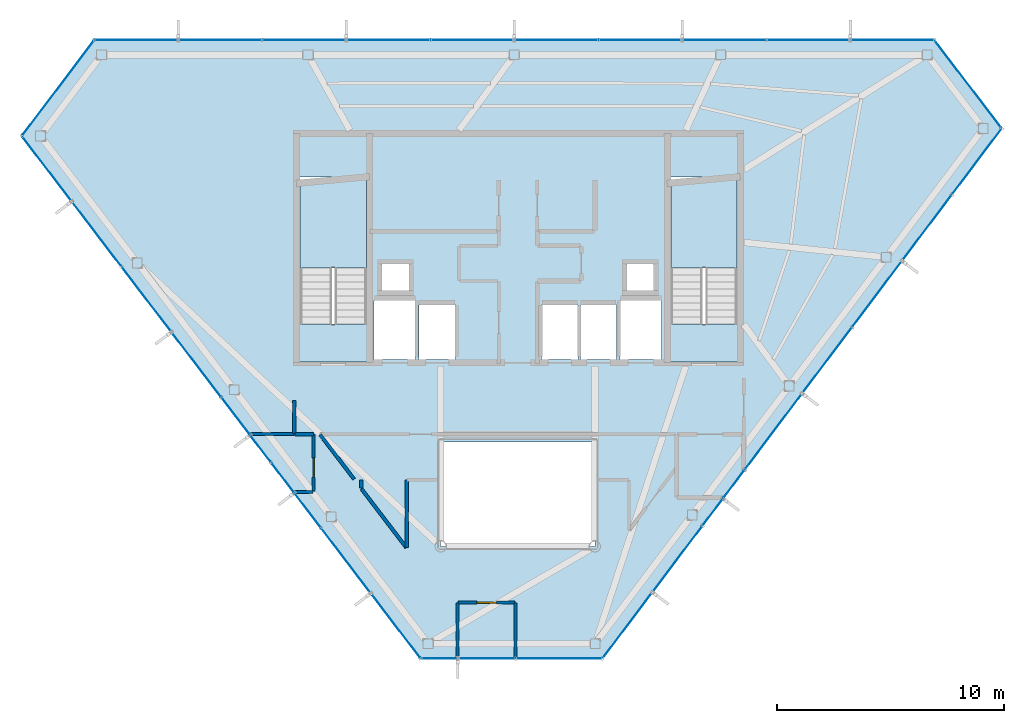
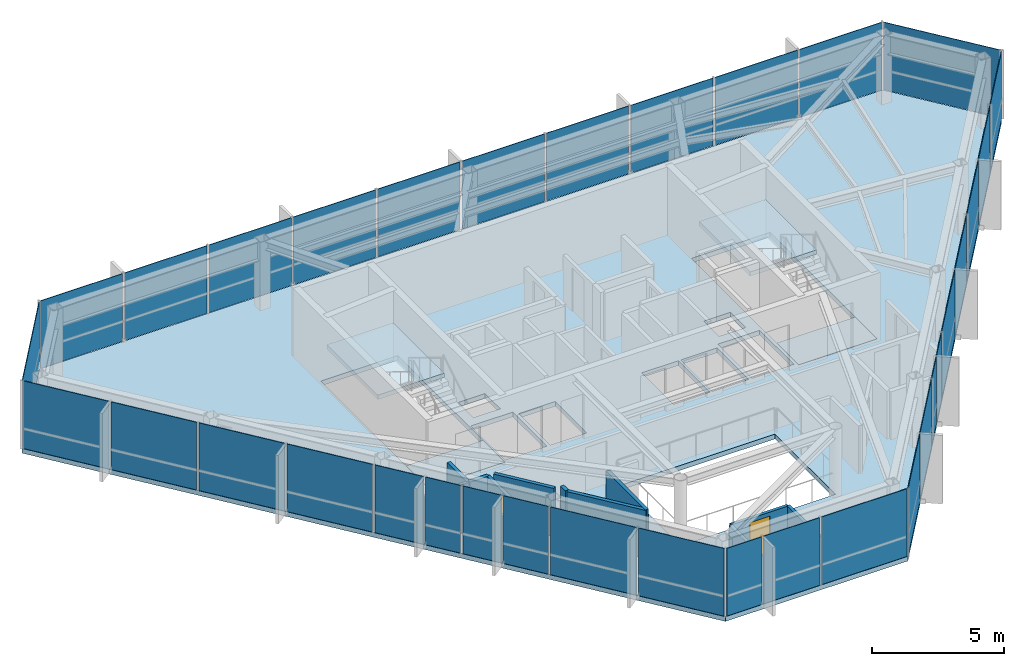
# One storey, part 19 of 22: 34 plates, 12 walls, 5 slabs, 2 doors, 2 openings, 8 elements without a shape of their own.
"""IFC4 building model written with IfcOpenShell, lengths in metres."""

from ifc_helpers import new_model, si_unit, direction, frame, frame_2d, origin, origin_2d, place, context, subcontext, project, spatial, polyline, rectangle, outline, extrude, material, layer, layer_set, type_object, element, fill, aggregate, save


model = new_model("IFC4")

# Units and contexts
model_context = context("Model", 3, precision=1e-05, world=origin(), true_north=direction((0.0, 1.0)))
body_context = subcontext(model_context, "Body", "Model", "MODEL_VIEW")
ifc_project = project(units=[si_unit("LENGTHUNIT", "METRE"), si_unit("AREAUNIT", "SQUARE_METRE"), si_unit("VOLUMEUNIT", "CUBIC_METRE"), si_unit("PLANEANGLEUNIT", "RADIAN"), si_unit("MASSUNIT", "GRAM", prefix="KILO")], contexts=[model_context])

# Site, building, storey
site_placement = place(None, origin())
site = spatial("IfcSite", under=ifc_project, at=site_placement, CompositionType="ELEMENT")
building_placement = place(site_placement, origin())
building = spatial("IfcBuilding", under=site, at=building_placement, Name="Zarrinselat Tower", CompositionType="ELEMENT")
storey_placement = place(building_placement, frame((0.0, 0.0, 289.0)))
storey = spatial("IfcBuildingStorey", under=building, at=storey_placement, Name="L74", CompositionType="ELEMENT", Elevation=289.0)

# Curtain wall, plates
ifc_material_1 = material(Name="Extruded Aluminium Alloy EN AW-6063 T6", Category="aluminium")
ifc_layer_1 = layer(ifc_material_1, 0.169921875)
ifc_layer_set_1 = layer_set([ifc_layer_1], Name="Extruded Aluminium Alloy EN AW-6063 T6")
curtain_wall_type_1 = type_object("IfcCurtainWallType", Name="CWS-RES", PredefinedType="NOTDEFINED", material=ifc_layer_set_1)
curtain_wall_1_placement = place(storey_placement, origin())
curtain_wall_1 = element("IfcCurtainWall", 1, at=curtain_wall_1_placement, inside=storey, type_object=curtain_wall_type_1, Name="L74 Unitised Curtain Wall CW-L74-E01", PredefinedType="NOTDEFINED")
ifc_material_2 = material(Name="Double Low-E Laminated Solar Glass", Category="glass")
ifc_layer_2 = layer(ifc_material_2, 0.028076171875)
ifc_layer_set_2 = layer_set([ifc_layer_2], Name="Double Low-E Laminated Solar Glass")
plate_type = type_object("IfcPlateType", Name="PLT-CW-GL28", PredefinedType="CURTAIN_PANEL", material=ifc_layer_set_2)
plate_1_placement = place(storey_placement, frame((54.90576171875, 47.5166015625, 0.02001953125), z_axis=(0.0, 0.0, 1.0), x_axis=(-1.0, 0.0, 0.0)))
plate_1 = element("IfcPlate", 2, at=plate_1_placement, type_object=plate_type, Name="CW-L74-E01 Vision Glass Panel 1", PredefinedType="CURTAIN_PANEL", context=body_context, shape_type="SweptSolid", body=[
    extrude(rectangle(XDim=3.6025390625, YDim=0.028076171875, at=origin_2d()), origin(), (0.0, 0.0, 1.0), 3.139892578125),
])
plate_2_placement = place(storey_placement, frame((51.203125, 47.5166015625, 0.02001953125), z_axis=(0.0, 0.0, 1.0), x_axis=(-1.0, 0.0, 0.0)))
plate_2 = element("IfcPlate", 3, at=plate_2_placement, type_object=plate_type, Name="CW-L74-E01 Vision Glass Panel 2", PredefinedType="CURTAIN_PANEL", context=body_context, shape_type="SweptSolid", body=[
    extrude(rectangle(XDim=3.6025390625, YDim=0.028076171875, at=origin_2d()), origin(), (0.0, 0.0, 1.0), 3.139892578125),
])
plate_3_placement = place(storey_placement, frame((47.50048828125, 47.5166015625, 0.02001953125), z_axis=(0.0, 0.0, 1.0), x_axis=(-1.0, 0.0, 0.0)))
plate_3 = element("IfcPlate", 4, at=plate_3_placement, type_object=plate_type, Name="CW-L74-E01 Vision Glass Panel 3", PredefinedType="CURTAIN_PANEL", context=body_context, shape_type="SweptSolid", body=[
    extrude(rectangle(XDim=3.6025390625, YDim=0.028076171875, at=origin_2d()), origin(), (0.0, 0.0, 1.0), 3.139892578125),
])
plate_4_placement = place(storey_placement, frame((43.798095703125, 47.5166015625, 0.02001953125), z_axis=(0.0, 0.0, 1.0), x_axis=(-1.0, 0.0, 0.0)))
plate_4 = element("IfcPlate", 5, at=plate_4_placement, type_object=plate_type, Name="CW-L74-E01 Vision Glass Panel 4", PredefinedType="CURTAIN_PANEL", context=body_context, shape_type="SweptSolid", body=[
    extrude(rectangle(XDim=3.6025390625, YDim=0.028076171875, at=origin_2d()), origin(), (0.0, 0.0, 1.0), 3.139892578125),
])
plate_5_placement = place(storey_placement, frame((40.095458984375, 47.5166015625, 0.02001953125), z_axis=(0.0, 0.0, 1.0), x_axis=(-1.0, 0.0, 0.0)))
plate_5 = element("IfcPlate", 6, at=plate_5_placement, type_object=plate_type, Name="CW-L74-E01 Vision Glass Panel 5", PredefinedType="CURTAIN_PANEL", context=body_context, shape_type="SweptSolid", body=[
    extrude(rectangle(XDim=3.6025390625, YDim=0.028076171875, at=origin_2d()), origin(), (0.0, 0.0, 1.0), 3.139892578125),
])
plate_6_placement = place(storey_placement, frame((36.392822265625, 47.5166015625, 0.02001953125), z_axis=(0.0, 0.0, 1.0), x_axis=(-1.0, 0.0, 0.0)))
plate_6 = element("IfcPlate", 7, at=plate_6_placement, type_object=plate_type, Name="CW-L74-E01 Vision Glass Panel 6", PredefinedType="CURTAIN_PANEL", context=body_context, shape_type="SweptSolid", body=[
    extrude(rectangle(XDim=3.6025390625, YDim=0.028076171875, at=origin_2d()), origin(), (0.0, 0.0, 1.0), 3.139892578125),
])
plate_7_placement = place(storey_placement, frame((32.690185546875, 47.5166015625, 0.02001953125), z_axis=(0.0, 0.0, 1.0), x_axis=(-1.0, 0.0, 0.0)))
plate_7 = element("IfcPlate", 8, at=plate_7_placement, type_object=plate_type, Name="CW-L74-E01 Vision Glass Panel 7", PredefinedType="CURTAIN_PANEL", context=body_context, shape_type="SweptSolid", body=[
    extrude(rectangle(XDim=3.6025390625, YDim=0.028076171875, at=origin_2d()), origin(), (0.0, 0.0, 1.0), 3.139892578125),
])
plate_8_placement = place(storey_placement, frame((28.987548828125, 47.5166015625, 0.02001953125), z_axis=(0.0, 0.0, 1.0), x_axis=(-1.0, 0.0, 0.0)))
plate_8 = element("IfcPlate", 9, at=plate_8_placement, type_object=plate_type, Name="CW-L74-E01 Vision Glass Panel 8", PredefinedType="CURTAIN_PANEL", context=body_context, shape_type="SweptSolid", body=[
    extrude(rectangle(XDim=3.6025390625, YDim=0.028076171875, at=origin_2d()), origin(), (0.0, 0.0, 1.0), 3.139892578125),
])
plate_9_placement = place(storey_placement, frame((25.284912109375, 47.5166015625, 0.02001953125), z_axis=(0.0, 0.0, 1.0), x_axis=(-1.0, 0.0, 0.0)))
plate_9 = element("IfcPlate", 10, at=plate_9_placement, type_object=plate_type, Name="CW-L74-E01 Vision Glass Panel 9", PredefinedType="CURTAIN_PANEL", context=body_context, shape_type="SweptSolid", body=[
    extrude(rectangle(XDim=3.6025390625, YDim=0.028076171875, at=origin_2d()), origin(), (0.0, 0.0, 1.0), 3.139892578125),
])
plate_10_placement = place(storey_placement, frame((21.58251953125, 47.5166015625, 0.02001953125), z_axis=(0.0, 0.0, 1.0), x_axis=(-1.0, 0.0, 0.0)))
plate_10 = element("IfcPlate", 11, at=plate_10_placement, type_object=plate_type, Name="CW-L74-E01 Vision Glass Panel 10", PredefinedType="CURTAIN_PANEL", context=body_context, shape_type="SweptSolid", body=[
    extrude(rectangle(XDim=3.6025390625, YDim=0.028076171875, at=origin_2d()), origin(), (0.0, 0.0, 1.0), 3.139892578125),
])
aggregate(curtain_wall_1, [plate_1, plate_2, plate_3, plate_4, plate_5, plate_6, plate_7, plate_8, plate_9, plate_10])

# Curtain wall, plate
curtain_wall_2_placement = place(storey_placement, origin())
curtain_wall_2 = element("IfcCurtainWall", 12, at=curtain_wall_2_placement, inside=storey, type_object=curtain_wall_type_1, Name="L74 Unitised Curtain Wall CW-L74-E02", PredefinedType="NOTDEFINED")
plate_11_placement = place(storey_placement, frame((18.13818359375, 45.402099609375, 0.02001953125), z_axis=(0.0, 0.0, 1.0), x_axis=(-0.601678799407, -0.798738143789, 0.0)))
plate_11 = element("IfcPlate", 13, at=plate_11_placement, type_object=plate_type, Name="CW-L74-E02 Vision Glass Panel 1", PredefinedType="CURTAIN_PANEL", context=body_context, shape_type="SweptSolid", body=[
    extrude(rectangle(XDim=5.19482421875, YDim=0.028076171875, at=origin_2d()), origin(), (0.0, 0.0, 1.0), 3.139892578125),
])
aggregate(curtain_wall_2, [plate_11])

# Curtain wall, plates
curtain_wall_3_placement = place(storey_placement, origin())
curtain_wall_3 = element("IfcCurtainWall", 14, at=curtain_wall_3_placement, inside=storey, type_object=curtain_wall_type_1, Name="L74 Unitised Curtain Wall CW-L74-E03", PredefinedType="NOTDEFINED")
plate_12_placement = place(storey_placement, frame((17.643798828125, 41.848388671875, 0.02001953125), z_axis=(0.0, 0.0, 1.0), x_axis=(0.606801746242, -0.794853219631, 0.0)))
plate_12 = element("IfcPlate", 15, at=plate_12_placement, type_object=plate_type, Name="CW-L74-E03 Vision Glass Panel 1", PredefinedType="CURTAIN_PANEL", context=body_context, shape_type="SweptSolid", body=[
    extrude(rectangle(XDim=3.520751953125, YDim=0.028076171875, at=origin_2d()), origin(), (0.0, 0.0, 1.0), 3.139892578125),
])
plate_13_placement = place(storey_placement, frame((19.8408203125, 38.970703125, 0.02001953125), z_axis=(0.0, 0.0, 1.0), x_axis=(0.606801746242, -0.794853219631, 0.0)))
plate_13 = element("IfcPlate", 16, at=plate_13_placement, type_object=plate_type, Name="CW-L74-E03 Vision Glass Panel 2", PredefinedType="CURTAIN_PANEL", context=body_context, shape_type="SweptSolid", body=[
    extrude(rectangle(XDim=3.520751953125, YDim=0.028076171875, at=origin_2d()), origin(), (0.0, 0.0, 1.0), 3.139892578125),
])
plate_14_placement = place(storey_placement, frame((22.037841796875, 36.0927734375, 0.02001953125), z_axis=(0.0, 0.0, 1.0), x_axis=(0.606801746242, -0.794853219631, 0.0)))
plate_14 = element("IfcPlate", 17, at=plate_14_placement, type_object=plate_type, Name="CW-L74-E03 Vision Glass Panel 3", PredefinedType="CURTAIN_PANEL", context=body_context, shape_type="SweptSolid", body=[
    extrude(rectangle(XDim=3.520751953125, YDim=0.028076171875, at=origin_2d()), origin(), (0.0, 0.0, 1.0), 3.139892578125),
])
plate_15_placement = place(storey_placement, frame((24.23486328125, 33.21484375, 0.02001953125), z_axis=(0.0, 0.0, 1.0), x_axis=(0.606801746242, -0.794853219631, 0.0)))
plate_15 = element("IfcPlate", 18, at=plate_15_placement, type_object=plate_type, Name="CW-L74-E03 Vision Glass Panel 4", PredefinedType="CURTAIN_PANEL", context=body_context, shape_type="SweptSolid", body=[
    extrude(rectangle(XDim=3.520751953125, YDim=0.028076171875, at=origin_2d()), origin(), (0.0, 0.0, 1.0), 3.139892578125),
])
plate_16_placement = place(storey_placement, frame((25.968017578125, 30.944580078125, 0.02001953125), z_axis=(0.0, 0.0, 1.0), x_axis=(0.606801746242, -0.794853219631, 0.0)))
plate_16 = element("IfcPlate", 19, at=plate_16_placement, type_object=plate_type, Name="CW-L74-E03 Vision Glass Panel 5", PredefinedType="CURTAIN_PANEL", context=body_context, shape_type="SweptSolid", body=[
    extrude(rectangle(XDim=1.9912109375, YDim=0.028076171875, at=origin_2d()), origin(), (0.0, 0.0, 1.0), 3.139892578125),
])
plate_17_placement = place(storey_placement, frame((27.06640625, 29.505859375, 0.02001953125), z_axis=(0.0, 0.0, 1.0), x_axis=(0.606801746242, -0.794853219631, 0.0)))
plate_17 = element("IfcPlate", 20, at=plate_17_placement, type_object=plate_type, Name="CW-L74-E03 Vision Glass Panel 6", PredefinedType="CURTAIN_PANEL", context=body_context, shape_type="SweptSolid", body=[
    extrude(rectangle(XDim=1.429443359375, YDim=0.028076171875, at=origin_2d()), origin(), (0.0, 0.0, 1.0), 3.139892578125),
])
plate_18_placement = place(storey_placement, frame((28.039794921875, 28.230712890625, 0.02001953125), z_axis=(0.0, 0.0, 1.0), x_axis=(0.606801746242, -0.794853219631, 0.0)))
plate_18 = element("IfcPlate", 21, at=plate_18_placement, type_object=plate_type, Name="CW-L74-E03 Vision Glass Panel 7", PredefinedType="CURTAIN_PANEL", context=body_context, shape_type="SweptSolid", body=[
    extrude(rectangle(XDim=1.57861328125, YDim=0.028076171875, at=origin_2d()), origin(), (0.0, 0.0, 1.0), 3.139892578125),
])
plate_19_placement = place(storey_placement, frame((29.13818359375, 26.791748046875, 0.02001953125), z_axis=(0.0, 0.0, 1.0), x_axis=(0.606801746242, -0.794853219631, 0.0)))
plate_19 = element("IfcPlate", 22, at=plate_19_placement, type_object=plate_type, Name="CW-L74-E03 Vision Glass Panel 8", PredefinedType="CURTAIN_PANEL", context=body_context, shape_type="SweptSolid", body=[
    extrude(rectangle(XDim=1.842041015625, YDim=0.028076171875, at=origin_2d()), origin(), (0.0, 0.0, 1.0), 3.139892578125),
])
plate_20_placement = place(storey_placement, frame((30.825927734375, 24.5810546875, 0.02001953125), z_axis=(0.0, 0.0, 1.0), x_axis=(0.606801746242, -0.794853219631, 0.0)))
plate_20 = element("IfcPlate", 23, at=plate_20_placement, type_object=plate_type, Name="CW-L74-E03 Vision Glass Panel 9", PredefinedType="CURTAIN_PANEL", context=body_context, shape_type="SweptSolid", body=[
    extrude(rectangle(XDim=3.520751953125, YDim=0.028076171875, at=origin_2d()), origin(), (0.0, 0.0, 1.0), 3.139892578125),
])
plate_21_placement = place(storey_placement, frame((33.023193359375, 21.703125, 0.02001953125), z_axis=(0.0, 0.0, 1.0), x_axis=(0.606801746242, -0.794853219631, 0.0)))
plate_21 = element("IfcPlate", 24, at=plate_21_placement, type_object=plate_type, Name="CW-L74-E03 Vision Glass Panel 10", PredefinedType="CURTAIN_PANEL", context=body_context, shape_type="SweptSolid", body=[
    extrude(rectangle(XDim=3.520751953125, YDim=0.028076171875, at=origin_2d()), origin(), (0.0, 0.0, 1.0), 3.139892578125),
])
aggregate(curtain_wall_3, [plate_12, plate_13, plate_14, plate_15, plate_16, plate_17, plate_18, plate_19, plate_20, plate_21])

curtain_wall_4_placement = place(storey_placement, origin())
curtain_wall_4 = element("IfcCurtainWall", 25, at=curtain_wall_4_placement, inside=storey, type_object=curtain_wall_type_1, Name="L74 Unitised Curtain Wall CW-L74-E04", PredefinedType="NOTDEFINED")
plate_22_placement = place(storey_placement, frame((34.933837890625, 20.26416015625, 0.02001953125), z_axis=(0.0, 0.0, 1.0), x_axis=(1.0, 0.0, 0.0)))
plate_22 = element("IfcPlate", 26, at=plate_22_placement, type_object=plate_type, Name="CW-L74-E04 Vision Glass Panel 1", PredefinedType="CURTAIN_PANEL", context=body_context, shape_type="SweptSolid", body=[
    extrude(rectangle(XDim=1.524658203125, YDim=0.028076171875, at=origin_2d()), origin(), (0.0, 0.0, 1.0), 3.139892578125),
])
plate_23_placement = place(storey_placement, frame((37.021240234375, 20.26416015625, 0.02001953125), z_axis=(0.0, 0.0, 1.0), x_axis=(1.0, 0.0, 0.0)))
plate_23 = element("IfcPlate", 27, at=plate_23_placement, type_object=plate_type, Name="CW-L74-E04 Vision Glass Panel 2", PredefinedType="CURTAIN_PANEL", context=body_context, shape_type="SweptSolid", body=[
    extrude(rectangle(XDim=2.449951171875, YDim=0.028076171875, at=origin_2d()), origin(), (0.0, 0.0, 1.0), 3.139892578125),
])
plate_24_placement = place(storey_placement, frame((40.212890625, 20.26416015625, 0.02001953125), z_axis=(0.0, 0.0, 1.0), x_axis=(1.0, 0.0, 0.0)))
plate_24 = element("IfcPlate", 28, at=plate_24_placement, type_object=plate_type, Name="CW-L74-E04 Vision Glass Panel 3", PredefinedType="CURTAIN_PANEL", context=body_context, shape_type="SweptSolid", body=[
    extrude(rectangle(XDim=3.733642578125, YDim=0.028076171875, at=origin_2d()), origin(), (0.0, 0.0, 1.0), 3.139892578125),
])
aggregate(curtain_wall_4, [plate_22, plate_23, plate_24])

ifc_material_3 = material(Name="Extruded Aluminium Alloy EN AW-6063 T6", Category="aluminium")
ifc_layer_3 = layer(ifc_material_3, 0.199951171875)
ifc_layer_set_3 = layer_set([ifc_layer_3], Name="Extruded Aluminium Alloy EN AW-6063 T6")
curtain_wall_type_2 = type_object("IfcCurtainWallType", Name="CWS-BLADE", PredefinedType="NOTDEFINED", material=ifc_layer_set_3)
curtain_wall_5_placement = place(storey_placement, origin())
curtain_wall_5 = element("IfcCurtainWall", 29, at=curtain_wall_5_placement, inside=storey, type_object=curtain_wall_type_2, Name="L74 Unitised Curtain Wall CW-L74-E05", PredefinedType="NOTDEFINED")
plate_25_placement = place(storey_placement, frame((43.229736328125, 21.724365234375, 0.02001953125), z_axis=(0.0, 0.0, 1.0), x_axis=(0.601672649155, 0.798742776655, 0.0)))
plate_25 = element("IfcPlate", 30, at=plate_25_placement, type_object=plate_type, Name="CW-L74-E05 Vision Glass Panel 1", PredefinedType="CURTAIN_PANEL", context=body_context, shape_type="SweptSolid", body=[
    extrude(rectangle(XDim=3.555908203125, YDim=0.028076171875, at=origin_2d()), origin(), (0.0, 0.0, 1.0), 3.139892578125),
])
plate_26_placement = place(storey_placement, frame((45.429443359375, 24.64453125, 0.02001953125), z_axis=(0.0, 0.0, 1.0), x_axis=(0.601672649155, 0.798742776655, 0.0)))
plate_26 = element("IfcPlate", 31, at=plate_26_placement, type_object=plate_type, Name="CW-L74-E05 Vision Glass Panel 2", PredefinedType="CURTAIN_PANEL", context=body_context, shape_type="SweptSolid", body=[
    extrude(rectangle(XDim=3.555908203125, YDim=0.028076171875, at=origin_2d()), origin(), (0.0, 0.0, 1.0), 3.139892578125),
])
plate_27_placement = place(storey_placement, frame((46.984619140625, 26.709228515625, 0.02001953125), z_axis=(0.0, 0.0, 1.0), x_axis=(0.601672649155, 0.798742776655, 0.0)))
plate_27 = element("IfcPlate", 32, at=plate_27_placement, type_object=plate_type, Name="CW-L74-E05 Vision Glass Panel 3", PredefinedType="CURTAIN_PANEL", context=body_context, shape_type="SweptSolid", body=[
    extrude(rectangle(XDim=1.4140625, YDim=0.028076171875, at=origin_2d()), origin(), (0.0, 0.0, 1.0), 3.139892578125),
])
plate_28_placement = place(storey_placement, frame((47.9189453125, 27.94970703125, 0.02001953125), z_axis=(0.0, 0.0, 1.0), x_axis=(0.601672649155, 0.798742776655, 0.0)))
plate_28 = element("IfcPlate", 33, at=plate_28_placement, type_object=plate_type, Name="CW-L74-E05 Vision Glass Panel 4", PredefinedType="CURTAIN_PANEL", context=body_context, shape_type="SweptSolid", body=[
    extrude(rectangle(XDim=1.491943359375, YDim=0.028076171875, at=origin_2d()), origin(), (0.0, 0.0, 1.0), 3.139892578125),
])
plate_29_placement = place(storey_placement, frame((49.663330078125, 30.26513671875, 0.02001953125), z_axis=(0.0, 0.0, 1.0), x_axis=(0.601672649155, 0.798742776655, 0.0)))
plate_29 = element("IfcPlate", 34, at=plate_29_placement, type_object=plate_type, Name="CW-L74-E05 Vision Glass Panel 5", PredefinedType="CURTAIN_PANEL", context=body_context, shape_type="SweptSolid", body=[
    extrude(rectangle(XDim=4.106201171875, YDim=0.028076171875, at=origin_2d()), origin(), (0.0, 0.0, 1.0), 3.139892578125),
])
plate_30_placement = place(storey_placement, frame((52.028564453125, 33.405029296875, 0.02001953125), z_axis=(0.0, 0.0, 1.0), x_axis=(0.601672649155, 0.798742776655, 0.0)))
plate_30 = element("IfcPlate", 35, at=plate_30_placement, type_object=plate_type, Name="CW-L74-E05 Vision Glass Panel 6", PredefinedType="CURTAIN_PANEL", context=body_context, shape_type="SweptSolid", body=[
    extrude(rectangle(XDim=3.555908203125, YDim=0.028076171875, at=origin_2d()), origin(), (0.0, 0.0, 1.0), 3.139892578125),
])
plate_31_placement = place(storey_placement, frame((54.228271484375, 36.3251953125, 0.02001953125), z_axis=(0.0, 0.0, 1.0), x_axis=(0.601672649155, 0.798742776655, 0.0)))
plate_31 = element("IfcPlate", 36, at=plate_31_placement, type_object=plate_type, Name="CW-L74-E05 Vision Glass Panel 7", PredefinedType="CURTAIN_PANEL", context=body_context, shape_type="SweptSolid", body=[
    extrude(rectangle(XDim=3.555908203125, YDim=0.028076171875, at=origin_2d()), origin(), (0.0, 0.0, 1.0), 3.139892578125),
])
plate_32_placement = place(storey_placement, frame((56.427978515625, 39.24560546875, 0.02001953125), z_axis=(0.0, 0.0, 1.0), x_axis=(0.601672649155, 0.798742776655, 0.0)))
plate_32 = element("IfcPlate", 37, at=plate_32_placement, type_object=plate_type, Name="CW-L74-E05 Vision Glass Panel 8", PredefinedType="CURTAIN_PANEL", context=body_context, shape_type="SweptSolid", body=[
    extrude(rectangle(XDim=3.555908203125, YDim=0.028076171875, at=origin_2d()), origin(), (0.0, 0.0, 1.0), 3.139892578125),
])
plate_33_placement = place(storey_placement, frame((58.627685546875, 42.165771484375, 0.02001953125), z_axis=(0.0, 0.0, 1.0), x_axis=(0.601672649155, 0.798742776655, 0.0)))
plate_33 = element("IfcPlate", 38, at=plate_33_placement, type_object=plate_type, Name="CW-L74-E05 Vision Glass Panel 9", PredefinedType="CURTAIN_PANEL", context=body_context, shape_type="SweptSolid", body=[
    extrude(rectangle(XDim=3.555908203125, YDim=0.028076171875, at=origin_2d()), origin(), (0.0, 0.0, 1.0), 3.139892578125),
])
aggregate(curtain_wall_5, [plate_25, plate_26, plate_27, plate_28, plate_29, plate_30, plate_31, plate_32, plate_33])

# Curtain wall, plate
curtain_wall_6_placement = place(storey_placement, origin())
curtain_wall_6 = element("IfcCurtainWall", 39, at=curtain_wall_6_placement, inside=storey, type_object=curtain_wall_type_1, Name="L74 Unitised Curtain Wall CW-L74-E06", PredefinedType="NOTDEFINED")
plate_34_placement = place(storey_placement, frame((58.2421875, 45.5712890625, 0.02001953125), z_axis=(0.0, 0.0, 1.0), x_axis=(-0.606806144855, 0.794849861651, 0.0)))
plate_34 = element("IfcPlate", 40, at=plate_34_placement, type_object=plate_type, Name="CW-L74-E06 Vision Glass Panel 1", PredefinedType="CURTAIN_PANEL", context=body_context, shape_type="SweptSolid", body=[
    extrude(rectangle(XDim=4.795166015625, YDim=0.028076171875, at=origin_2d()), origin(), (0.0, 0.0, 1.0), 3.139892578125),
])
aggregate(curtain_wall_6, [plate_34])

# Slabs
ifc_material_4 = material(Name="Concrete C40/50", Category="concrete")
ifc_layer_4 = layer(ifc_material_4, 0.219970703125)
ifc_layer_set_4 = layer_set([ifc_layer_4], Name="Concrete C40/50")
slab_type_1 = type_object("IfcSlabType", Name="SLB-FLOOR-220-SL-RS220", PredefinedType="FLOOR", material=ifc_layer_set_4)
slab_1_placement = place(storey_placement, frame((0.0, 0.0, -0.219970703125)))
element("IfcSlab", 41, at=slab_1_placement, inside=storey, type_object=slab_type_1, Name="L74 Primary Structural Slab", PredefinedType="FLOOR", context=body_context, shape_type="SweptSolid", body=[
    extrude(outline(polyline([(56.757080078125, 47.5166015625), (19.731201171875, 47.5166015625), (16.54541015625, 43.28759765625), (34.12158203125, 20.26416015625), (42.1298828125, 20.26416015625), (59.7275390625, 43.625732421875), (56.757080078125, 47.5166015625)]), holes=[polyline([(41.800048828125, 25.199951171875), (35.0, 25.199951171875), (35.0, 29.800048828125), (41.800048828125, 29.800048828125), (41.800048828125, 25.199951171875)]), polyline([(35.64990234375, 33.449951171875), (34.050048828125, 33.449951171875), (34.050048828125, 35.85009765625), (35.64990234375, 35.85009765625), (35.64990234375, 33.449951171875)]), polyline([(41.050048828125, 33.449951171875), (39.449951171875, 33.449951171875), (39.449951171875, 35.85009765625), (41.050048828125, 35.85009765625), (41.050048828125, 33.449951171875)]), polyline([(41.14990234375, 33.449951171875), (41.14990234375, 35.85009765625), (42.75, 35.85009765625), (42.75, 33.449951171875), (41.14990234375, 33.449951171875)]), polyline([(32.06005859375, 33.449951171875), (32.06005859375, 36.050048828125), (33.89990234375, 36.050048828125), (33.89990234375, 33.449951171875), (32.06005859375, 33.449951171875)]), polyline([(44.739990234375, 33.449951171875), (42.89990234375, 33.449951171875), (42.89990234375, 36.050048828125), (44.739990234375, 36.050048828125), (44.739990234375, 33.449951171875)]), polyline([(33.60009765625, 36.47998046875), (32.419921875, 36.47998046875), (32.419921875, 37.639892578125), (33.60009765625, 37.639892578125), (33.60009765625, 36.47998046875)]), polyline([(44.3798828125, 36.47998046875), (43.199951171875, 36.47998046875), (43.199951171875, 37.639892578125), (44.3798828125, 37.639892578125), (44.3798828125, 36.47998046875)]), polyline([(31.985107421875, 33.324951171875), (28.60498046875, 33.324951171875), (28.60498046875, 41.47509765625), (31.985107421875, 41.47509765625), (31.985107421875, 33.324951171875)]), polyline([(48.324951171875, 33.324951171875), (44.875, 33.324951171875), (44.875, 41.47509765625), (48.324951171875, 41.47509765625), (48.324951171875, 33.324951171875)])]), origin(), (0.0, 0.0, 1.0), 0.219970703125),
])
slab_2_placement = place(storey_placement, frame((0.0, 0.0, -0.219970703125)))
element("IfcSlab", 42, at=slab_2_placement, inside=storey, type_object=slab_type_1, Name="L74 Stair ST-1-FL1 Structural Floor Landing", PredefinedType="FLOOR", context=body_context, shape_type="SweptSolid", body=[
    extrude(outline(polyline([(31.97998046875, 33.330078125), (31.97998046875, 35.0), (28.610107421875, 35.0), (28.610107421875, 33.330078125), (31.97998046875, 33.330078125)])), origin(), (0.0, 0.0, 1.0), 0.219970703125),
])
slab_3_placement = place(storey_placement, frame((0.0, 0.0, -0.219970703125)))
element("IfcSlab", 43, at=slab_3_placement, inside=storey, type_object=slab_type_1, Name="L74 Stair ST-2-FL1 Structural Floor Landing", PredefinedType="FLOOR", context=body_context, shape_type="SweptSolid", body=[
    extrude(outline(polyline([(48.320068359375, 33.330078125), (48.320068359375, 35.0), (44.8798828125, 35.0), (44.8798828125, 33.330078125), (48.320068359375, 33.330078125)])), origin(), (0.0, 0.0, 1.0), 0.219970703125),
])

# Stair, slab
ifc_material_5 = material(Name="Concrete C40/50", Category="concrete")
stair_type = type_object("IfcStairType", Name="STR-CORE-155", PredefinedType="HALF_TURN_STAIR", material=ifc_material_5)
stair_1_placement = place(storey_placement, origin())
stair_1 = element("IfcStair", 44, at=stair_1_placement, inside=storey, type_object=stair_type, Name="L74 Core Exit Stair 1", PredefinedType="HALF_TURN_STAIR")
ifc_material_6 = material(Name="Concrete C40/50", Category="concrete")
ifc_layer_5 = layer(ifc_material_6, 0.18994140625)
ifc_layer_set_5 = layer_set([ifc_layer_5], Name="Concrete C40/50")
slab_type_2 = type_object("IfcSlabType", Name="SLB-LND-190", PredefinedType="LANDING", material=ifc_layer_set_5)
slab_4_placement = place(storey_placement, frame((0.0, 0.0, 1.5)))
slab_4 = element("IfcSlab", 45, at=slab_4_placement, type_object=slab_type_2, Name="ST-1 landing 1", PredefinedType="LANDING", context=body_context, shape_type="SweptSolid", body=[
    extrude(outline(polyline([(31.719970703125, 37.47998046875), (31.719970703125, 41.35009765625), (28.800048828125, 41.35009765625), (28.800048828125, 37.47998046875), (31.719970703125, 37.47998046875)])), origin(), (0.0, 0.0, 1.0), 0.199951171875),
])
aggregate(stair_1, [slab_4])

stair_2_placement = place(storey_placement, origin())
stair_2 = element("IfcStair", 46, at=stair_2_placement, inside=storey, type_object=stair_type, Name="L74 Core Exit Stair 2", PredefinedType="HALF_TURN_STAIR")
slab_5_placement = place(storey_placement, frame((0.0, 0.0, 1.5)))
slab_5 = element("IfcSlab", 47, at=slab_5_placement, type_object=slab_type_2, Name="ST-2 landing 1", PredefinedType="LANDING", context=body_context, shape_type="SweptSolid", body=[
    extrude(outline(polyline([(48.06005859375, 37.47998046875), (48.06005859375, 41.35009765625), (45.139892578125, 41.35009765625), (45.139892578125, 37.47998046875), (48.06005859375, 37.47998046875)])), origin(), (0.0, 0.0, 1.0), 0.199951171875),
])
aggregate(stair_2, [slab_5])

# Walls
ifc_material_7 = material(Name="Fire-Rated Gypsum Board Partition", Category="gypsum")
ifc_layer_6 = layer(ifc_material_7, 0.14990234375)
ifc_layer_set_6 = layer_set([ifc_layer_6], Name="Fire-Rated Gypsum Board Partition")
wall_type_1 = type_object("IfcWallType", Name="WAL-PART-EI60", PredefinedType="PARTITIONING", material=ifc_layer_set_6)
wall_1_placement = place(storey_placement, frame((28.570068359375, 30.14990234375, 0.0), z_axis=(0.0, 0.0, 1.0), x_axis=(1.0, 0.0, 0.0)))
element("IfcWall", 48, at=wall_1_placement, inside=storey, type_object=wall_type_1, Name="L74 Partition Wall 18", PredefinedType="PARTITIONING", context=body_context, shape_type="SweptSolid", body=[
    extrude(rectangle(XDim=0.824951171875, YDim=0.14990234375, at=frame_2d((0.41259765625, 0.0))), origin(), (0.0, 0.0, 1.0), 2.235107421875),
])
wall_2_placement = place(storey_placement, frame((28.550048828125, 30.169921875, 0.0), z_axis=(0.0, 0.0, 1.0), x_axis=(0.0, 1.0, 0.0)))
element("IfcWall", 49, at=wall_2_placement, inside=storey, type_object=wall_type_1, Name="L74 Partition Wall 19", PredefinedType="PARTITIONING", context=body_context, shape_type="SweptSolid", body=[
    extrude(rectangle(XDim=1.47119140625, YDim=0.14990234375, at=frame_2d((0.735595703125, 0.0))), origin(), (0.0, 0.0, 1.0), 2.235107421875),
])
wall_3_placement = place(storey_placement, frame((33.5, 25.152587890625, 0.0), z_axis=(0.0, 0.0, 1.0), x_axis=(0.0, 1.0, 0.0)))
element("IfcWall", 50, at=wall_3_placement, inside=storey, type_object=wall_type_1, Name="L74 Partition Wall 28", PredefinedType="PARTITIONING", context=body_context, shape_type="SweptSolid", body=[
    extrude(rectangle(XDim=2.977294921875, YDim=0.14990234375, at=frame_2d((1.48876953125, 0.0))), origin(), (0.0, 0.0, 1.0), 2.235107421875),
])
wall_4_placement = place(storey_placement, frame((31.51220703125, 27.736328125, 0.0), z_axis=(0.0, 0.0, 1.0), x_axis=(0.606793028784, -0.794859874581, 0.0)))
element("IfcWall", 51, at=wall_4_placement, inside=storey, type_object=wall_type_1, Name="L74 Partition Wall 29", PredefinedType="PARTITIONING", context=body_context, shape_type="SweptSolid", body=[
    extrude(rectangle(XDim=3.255859375, YDim=0.14990234375, at=frame_2d((1.6279296875, 0.0))), origin(), (0.0, 0.0, 1.0), 2.235107421875),
])
wall_5_placement = place(storey_placement, frame((31.5, 27.772216796875, 0.0), z_axis=(0.0, 0.0, 1.0), x_axis=(0.0, 1.0, 0.0)))
element("IfcWall", 52, at=wall_5_placement, inside=storey, type_object=wall_type_1, Name="L74 Partition Wall 30", PredefinedType="PARTITIONING", context=body_context, shape_type="SweptSolid", body=[
    extrude(rectangle(XDim=0.357666015625, YDim=0.14990234375, at=frame_2d((0.1787109375, 0.0))), origin(), (0.0, 0.0, 1.0), 2.235107421875),
])
wall_6_placement = place(storey_placement, frame((29.681640625, 30.134033203125, 0.0), z_axis=(0.0, 0.0, 1.0), x_axis=(0.60687170499, -0.794799807299, 0.0)))
element("IfcWall", 53, at=wall_6_placement, inside=storey, type_object=wall_type_1, Name="L74 Partition Wall 31", PredefinedType="PARTITIONING", context=body_context, shape_type="SweptSolid", body=[
    extrude(rectangle(XDim=2.47607421875, YDim=0.14990234375, at=frame_2d((1.238037109375, 0.0))), origin(), (0.0, 0.0, 1.0), 2.235107421875),
])
ifc_material_8 = material(Name="Fire-Rated Gypsum Board Partition", Category="gypsum")
ifc_layer_7 = layer(ifc_material_8, 0.135009765625)
ifc_layer_set_7 = layer_set([ifc_layer_7], Name="Fire-Rated Gypsum Board Partition")
wall_type_2 = type_object("IfcWallType", Name="WAL-PART-WET", PredefinedType="PARTITIONING", material=ifc_layer_set_7)
wall_7_placement = place(storey_placement, frame((28.536376953125, 27.60009765625, 0.0), z_axis=(0.0, 0.0, 1.0), x_axis=(1.0, 0.0, 0.0)))
element("IfcWall", 54, at=wall_7_placement, inside=storey, type_object=wall_type_2, Name="L74 Partition Wall 32", PredefinedType="PARTITIONING", context=body_context, shape_type="SweptSolid", body=[
    extrude(rectangle(XDim=0.84375, YDim=0.135009765625, at=frame_2d((0.421875, 0.0))), origin(), (0.0, 0.0, 1.0), 2.235107421875),
])

# Wall, opening, door
wall_8_placement = place(storey_placement, frame((29.400146484375, 27.6201171875, 0.0), z_axis=(0.0, 0.0, 1.0), x_axis=(0.0, 1.0, 0.0)))
wall_8 = element("IfcWall", 55, at=wall_8_placement, inside=storey, type_object=wall_type_2, Name="L74 Partition Wall 33", PredefinedType="PARTITIONING", context=body_context, shape_type="SweptSolid", body=[
    extrude(rectangle(XDim=2.509765625, YDim=0.135009765625, at=frame_2d((1.2548828125, 0.0))), origin(), (0.0, 0.0, 1.0), 2.235107421875),
])
opening_1_placement = place(wall_8_placement, frame((0.625, 0.0, 0.0)))
opening_1 = element("IfcOpeningElement", 56, at=opening_1_placement, cuts=wall_8, Name="Opening ID-06", PredefinedType="OPENING", context=body_context, shape_type="SweptSolid", body=[
    extrude(rectangle(XDim=0.860107421875, YDim=2.050048828125, at=frame_2d((0.43017578125, 1.02490234375))), frame((0.0, 0.077392578125, 0.0), z_axis=(0.0, -1.0, 0.0), x_axis=(1.0, 0.0, 0.0)), (0.0, 0.0, 1.0), 0.155029296875),
])
ifc_material_9 = material(Name="Extruded Aluminium Alloy EN AW-6063 T6", Category="aluminium")
door_type = type_object("IfcDoorType", Name="DR-INT-WET-900", OperationType="NOTDEFINED", PredefinedType="DOOR", material=ifc_material_9)
door_1_placement = place(opening_1_placement, origin())
door_1 = element("IfcDoor", 57, at=door_1_placement, inside=storey, type_object=door_type, Name="L74 Interior Door P33", OperationType="SINGLE_SWING_RIGHT", OverallHeight=2.050048828125, OverallWidth=0.860107421875, PredefinedType="DOOR", context=body_context, shape_type="SweptSolid", body=[
    extrude(rectangle(XDim=0.860107421875, YDim=2.050048828125, at=frame_2d((0.43017578125, 1.02490234375))), frame((0.0, 0.02490234375, 0.0), z_axis=(0.0, -1.0, 0.0), x_axis=(1.0, 0.0, 0.0)), (0.0, 0.0, 1.0), 0.050048828125),
])
fill(opening_1, door_1)

# Wall
wall_9_placement = place(storey_placement, frame((38.296142578125, 20.279296875, 0.0), z_axis=(0.0, 0.0, 1.0), x_axis=(0.0, 1.0, 0.0)))
element("IfcWall", 58, at=wall_9_placement, inside=storey, type_object=wall_type_2, Name="L74 Partition Wall 34", PredefinedType="PARTITIONING", context=body_context, shape_type="SweptSolid", body=[
    extrude(rectangle(XDim=2.4248046875, YDim=0.135009765625, at=frame_2d((1.21240234375, 0.0))), origin(), (0.0, 0.0, 1.0), 2.235107421875),
])

# Wall, opening, door
wall_10_placement = place(storey_placement, frame((35.76611328125, 22.72412109375, 0.0), z_axis=(0.0, 0.0, 1.0), x_axis=(1.0, 0.0, 0.0)))
wall_10 = element("IfcWall", 59, at=wall_10_placement, inside=storey, type_object=wall_type_2, Name="L74 Partition Wall 35", PredefinedType="PARTITIONING", context=body_context, shape_type="SweptSolid", body=[
    extrude(rectangle(XDim=2.510009765625, YDim=0.135009765625, at=frame_2d((1.2548828125, 0.0))), origin(), (0.0, 0.0, 1.0), 2.235107421875),
])
opening_2_placement = place(wall_10_placement, frame((0.824951171875, 0.0, 0.0)))
opening_2 = element("IfcOpeningElement", 60, at=opening_2_placement, cuts=wall_10, Name="Opening ID-06", PredefinedType="OPENING", context=body_context, shape_type="SweptSolid", body=[
    extrude(rectangle(XDim=0.860107421875, YDim=2.050048828125, at=frame_2d((0.43017578125, 1.02490234375))), frame((0.0, 0.077392578125, 0.0), z_axis=(0.0, -1.0, 0.0), x_axis=(1.0, 0.0, 0.0)), (0.0, 0.0, 1.0), 0.155029296875),
])
door_2_placement = place(opening_2_placement, origin())
door_2 = element("IfcDoor", 61, at=door_2_placement, inside=storey, type_object=door_type, Name="L74 Interior Door P35", OperationType="SINGLE_SWING_LEFT", OverallHeight=2.050048828125, OverallWidth=0.860107421875, PredefinedType="DOOR", context=body_context, shape_type="SweptSolid", body=[
    extrude(rectangle(XDim=0.860107421875, YDim=2.050048828125, at=frame_2d((0.43017578125, 1.02490234375))), frame((0.0, 0.02490234375, 0.0), z_axis=(0.0, -1.0, 0.0), x_axis=(1.0, 0.0, 0.0)), (0.0, 0.0, 1.0), 0.050048828125),
])
fill(opening_2, door_2)

# Walls
wall_11_placement = place(storey_placement, frame((35.74609375, 20.279296875, 0.0), z_axis=(0.0, 0.0, 1.0), x_axis=(0.0, 1.0, 0.0)))
element("IfcWall", 62, at=wall_11_placement, inside=storey, type_object=wall_type_2, Name="L74 Partition Wall 36", PredefinedType="PARTITIONING", context=body_context, shape_type="SweptSolid", body=[
    extrude(rectangle(XDim=2.4248046875, YDim=0.135009765625, at=frame_2d((1.21240234375, 0.0))), origin(), (0.0, 0.0, 1.0), 2.235107421875),
])
wall_12_placement = place(storey_placement, frame((26.589599609375, 30.14990234375, 0.0), z_axis=(0.0, 0.0, 1.0), x_axis=(1.0, 0.0, 0.0)))
element("IfcWall", 63, at=wall_12_placement, inside=storey, type_object=wall_type_2, Name="L74 Partition Wall 37", PredefinedType="PARTITIONING", context=body_context, shape_type="SweptSolid", body=[
    extrude(rectangle(XDim=1.9404296875, YDim=0.135009765625, at=frame_2d((0.97021484375, 0.0))), origin(), (0.0, 0.0, 1.0), 2.235107421875),
])

save(model, "model.ifc")
